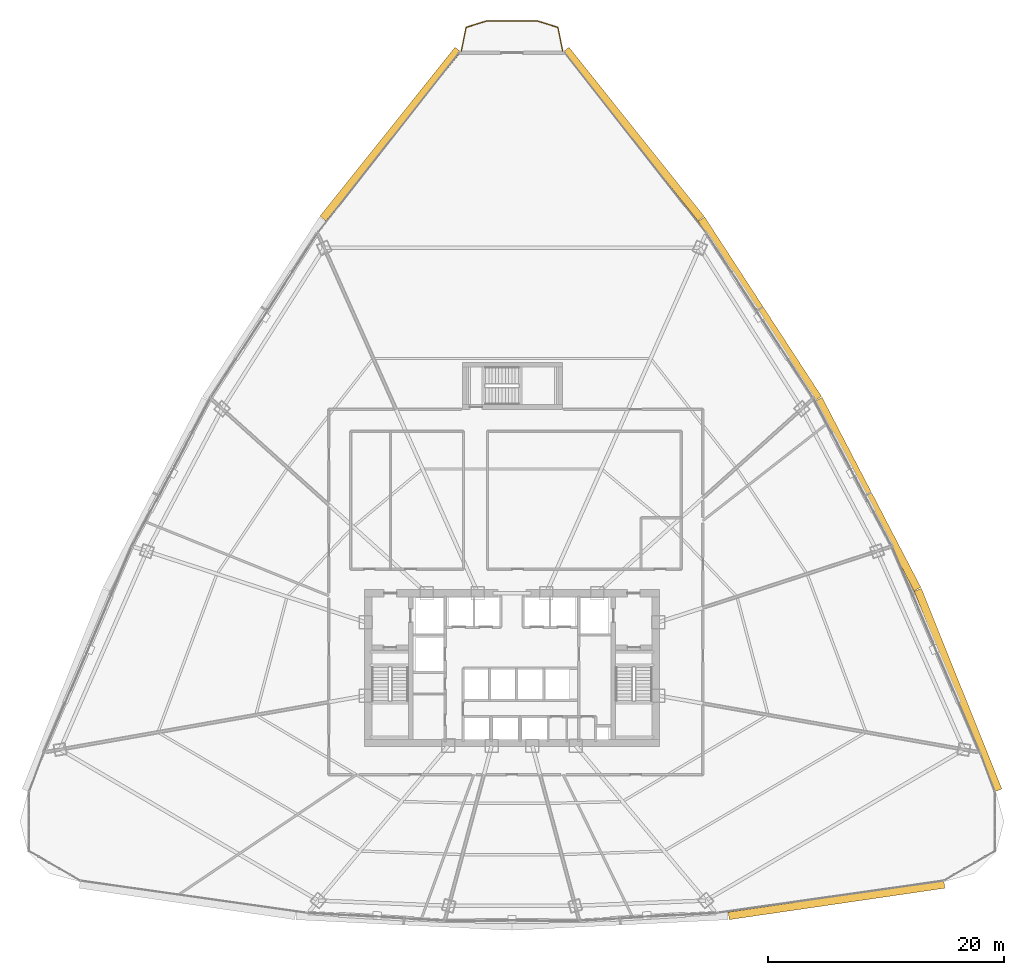
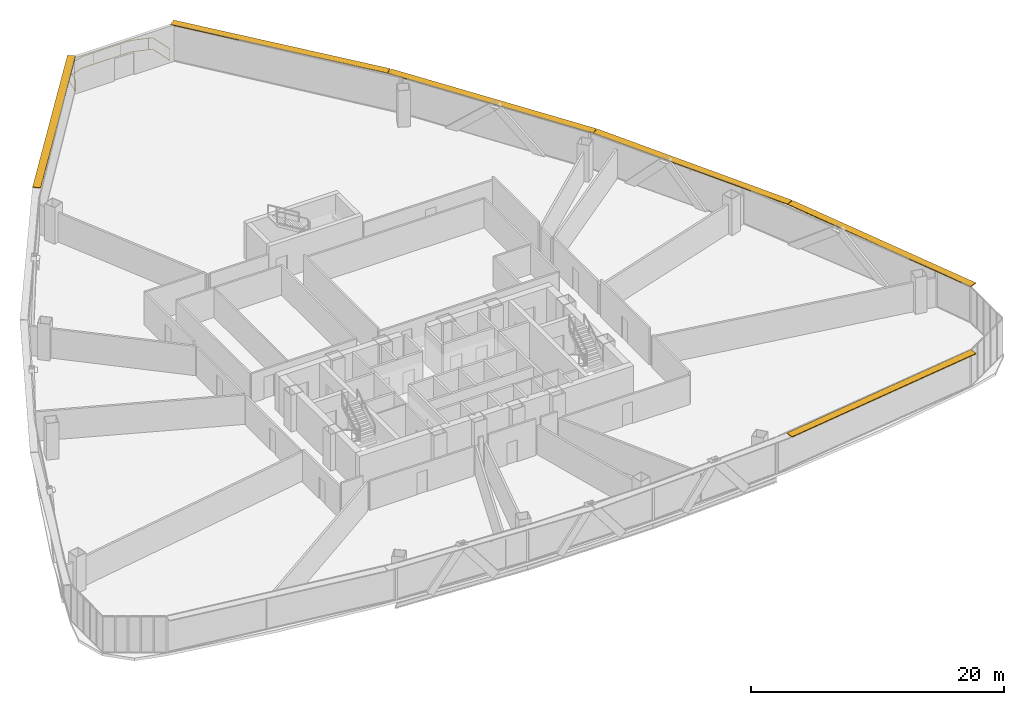
# One storey, part 41 of 41: 6 shading devices, 1 railing.
"""IFC4 building model written with IfcOpenShell, lengths in metres."""

import ifcopenshell
import ifcopenshell.guid

model = None  # the IFC model being written
_history = None  # IfcOwnerHistory: only IFC2X3 demands one
_inside = {}  # id of a spatial element -> (the spatial element, [elements in it])
_under = {}  # id of a project, library or spatial element -> (it, [spatial elements below it])
_declared = {}  # id of a project -> (the project, [libraries it declares])
_typed = {}  # id of a type object -> (the type object, [elements of that type])
_made_of = {}  # id of a material, layer set ... -> (it, [elements and type objects made of it])


def new_model(schema):
    """Start an empty IFC model of exactly this schema.

    Asked for "IFC4X3", IfcOpenShell would pick the latest addendum, in which some entities
    have other attributes; the version numbers below select the first issue.
    IFC2X3 requires an IfcOwnerHistory on every rooted entity: one is made here for all.
    """
    global model, _history
    if schema == "IFC4X3":
        model = ifcopenshell.file(schema_version=(4, 3, 0, 0))
    else:
        model = ifcopenshell.file(schema=schema)
    _inside.clear()
    _under.clear()
    _declared.clear()
    _typed.clear()
    _made_of.clear()
    _history = None
    if model.schema == "IFC2X3":
        org = make("IfcOrganization", Name="unknown")
        user = make(
            "IfcPersonAndOrganization",
            ThePerson=make("IfcPerson", FamilyName="unknown"),
            TheOrganization=org,
        )
        app = make(
            "IfcApplication",
            ApplicationDeveloper=org,
            Version="unknown",
            ApplicationFullName="unknown",
            ApplicationIdentifier="unknown",
        )
        _history = make(
            "IfcOwnerHistory",
            OwningUser=user,
            OwningApplication=app,
            ChangeAction="ADDED",
            CreationDate=0,
        )
    return model


def make(cls, **values):
    """One entity of the class cls with the attributes given. An attribute that is None is left unset."""
    return model.create_entity(
        cls, **{name: value for name, value in values.items() if value is not None}
    )


def rooted(cls, **values):
    """An entity with a GlobalId (a new one), such as an element, a storey or a relation."""
    return make(cls, GlobalId=ifcopenshell.guid.new(), OwnerHistory=_history, **values)


def si_unit(unit_type, name, prefix=None):
    """IfcSIUnit, for example si_unit("LENGTHUNIT", "METRE", prefix="MILLI")."""
    return make("IfcSIUnit", UnitType=unit_type, Prefix=prefix, Name=name)


def assignment(units):
    """IfcUnitAssignment: the units of a project."""
    return None if units is None else make("IfcUnitAssignment", Units=units)


def point(xyz):
    """IfcCartesianPoint."""
    return None if xyz is None else make("IfcCartesianPoint", Coordinates=xyz)


def direction(xyz):
    """IfcDirection."""
    return None if xyz is None else make("IfcDirection", DirectionRatios=xyz)


def frame(location, z_axis=None, x_axis=None):
    """IfcAxis2Placement3D, a coordinate frame: its origin and axes. An axis left out is left unset."""
    return make(
        "IfcAxis2Placement3D",
        Location=point(location),
        Axis=direction(z_axis),
        RefDirection=direction(x_axis),
    )


def frame_2d(location, x_axis=None):
    """IfcAxis2Placement2D, a coordinate frame in the plane: its origin and x axis."""
    return make(
        "IfcAxis2Placement2D", Location=point(location), RefDirection=direction(x_axis)
    )


def origin():
    """The frame at (0, 0, 0) with its axes left unset."""
    return frame((0.0, 0.0, 0.0))


def origin_2d():
    """The frame at (0, 0) in the plane with its x axis left unset."""
    return frame_2d((0.0, 0.0))


def place(relative_to, where):
    """IfcLocalPlacement: puts the frame where relative to a parent placement (None: the world)."""
    return make(
        "IfcLocalPlacement", PlacementRelTo=relative_to, RelativePlacement=where
    )


def context(
    kind, dimensions, precision=None, world=None, true_north=None, identifier=None
):
    """IfcGeometricRepresentationContext, for example the 3D "Model" context."""
    return make(
        "IfcGeometricRepresentationContext",
        ContextIdentifier=identifier,
        ContextType=kind,
        CoordinateSpaceDimension=dimensions,
        Precision=precision,
        WorldCoordinateSystem=world,
        TrueNorth=true_north,
    )


def subcontext(parent, identifier, kind, view, scale=None):
    """IfcGeometricRepresentationSubContext, for example "Body" below "Model"."""
    return make(
        "IfcGeometricRepresentationSubContext",
        ContextIdentifier=identifier,
        ContextType=kind,
        ParentContext=parent,
        TargetScale=scale,
        TargetView=view,
    )


def project(units=None, contexts=None):
    """IfcProject with its units and contexts."""
    return rooted(
        "IfcProject",
        Name="project",
        RepresentationContexts=contexts,
        UnitsInContext=assignment(units),
    )


def spatial(cls, under=None, at=None, **own):
    """A site, building, storey or space (cls), placed at a placement, below another one or the project."""
    s = rooted(cls, ObjectPlacement=at, **own)
    if under is not None:
        _under.setdefault(under.id(), (under, []))[1].append(s)
    return s


def profile(cls, at=None, kind="AREA", **sizes):
    """A parametric profile (cls). Its sizes go by their IFC names, for example OverallWidth=200.0."""
    return make(cls, ProfileType=kind, Position=at, **sizes)


def rectangle(**sizes):
    """IfcRectangleProfileDef."""
    return profile("IfcRectangleProfileDef", **sizes)


def extrude(swept, where, along, depth):
    """IfcExtrudedAreaSolid: the profile swept, set in the frame where, extruded along a direction by depth."""
    return make(
        "IfcExtrudedAreaSolid",
        SweptArea=swept,
        Position=where,
        ExtrudedDirection=direction(along),
        Depth=depth,
    )


def shape(context_of_items, identifier, shape_type, items):
    """IfcShapeRepresentation: the items that make up one representation, for example the "Body"."""
    return make(
        "IfcShapeRepresentation",
        ContextOfItems=context_of_items,
        RepresentationIdentifier=identifier,
        RepresentationType=shape_type,
        Items=items,
    )


def source(mapping_origin, context_of_items, identifier, shape_type, items):
    """IfcRepresentationMap: a shape defined once, which mapped items show again and again."""
    return make(
        "IfcRepresentationMap",
        MappingOrigin=mapping_origin,
        MappedRepresentation=shape(context_of_items, identifier, shape_type, items),
    )


def transform(
    local_origin,
    x_axis=None,
    y_axis=None,
    z_axis=None,
    scale=None,
    scale2=None,
    scale3=None,
    uniform=True,
):
    """IfcCartesianTransformationOperator3D, or its non-uniform kind. x_axis, y_axis, z_axis: its Axis1, 2, 3."""
    if uniform:
        return make(
            "IfcCartesianTransformationOperator3D",
            Axis1=direction(x_axis),
            Axis2=direction(y_axis),
            LocalOrigin=point(local_origin),
            Scale=scale,
            Axis3=direction(z_axis),
        )
    return make(
        "IfcCartesianTransformationOperator3DnonUniform",
        Axis1=direction(x_axis),
        Axis2=direction(y_axis),
        LocalOrigin=point(local_origin),
        Scale=scale,
        Axis3=direction(z_axis),
        Scale2=scale2,
        Scale3=scale3,
    )


def mapped(mapping_source, mapping_target):
    """IfcMappedItem: shows the shape of a source again, moved by a transform."""
    return make(
        "IfcMappedItem", MappingSource=mapping_source, MappingTarget=mapping_target
    )


def material(Name=None, Category=None):
    """IfcMaterial."""
    return make("IfcMaterial", Name=Name, Category=Category)


def layer(
    of_material, thickness, ventilated=None, Name=None, Category=None, Priority=None
):
    """IfcMaterialLayer: one layer of a wall or slab, of a material (None: an air gap)."""
    return make(
        "IfcMaterialLayer",
        Material=of_material,
        LayerThickness=thickness,
        IsVentilated=ventilated,
        Name=Name,
        Category=Category,
        Priority=Priority,
    )


def layer_set(layers, Name=None):
    """IfcMaterialLayerSet."""
    return make("IfcMaterialLayerSet", MaterialLayers=layers, LayerSetName=Name)


def made_of(thing, what):
    """Note that an element or type object is made of a material, layer set ...; save() writes the relation."""
    if what is not None:
        _made_of.setdefault(what.id(), (what, []))[1].append(thing)
    return thing


def type_object(cls, material=None, **own):
    """A type object (cls), such as IfcWallType, which elements share."""
    return made_of(rooted(cls, **own), material)


def element(
    cls,
    number,
    at=None,
    inside=None,
    cuts=None,
    type_object=None,
    material=None,
    context=None,
    identifier="Body",
    shape_type=None,
    held_by="IfcProductDefinitionShape",
    body=None,
    shapes=None,
    **own,
):
    """One element of the class cls, such as IfcWall. Its Tag is "e" and its number.

    at: its placement. inside: the storey or other place that contains it. cuts: it is an
    opening in that element (IfcRelVoidsElement). A single representation is given by context,
    identifier, shape_type and body (its items); several are given by shapes. held_by: the class
    of the entity that holds the representations. save() writes the other relations.
    """
    e = rooted(cls, Tag="e%d" % number, ObjectPlacement=at, **own)
    if body is not None:
        shapes = [shape(context, identifier, shape_type, body)]
    if shapes is not None:
        e.Representation = make(held_by, Representations=shapes)
    if inside is not None:
        _inside.setdefault(inside.id(), (inside, []))[1].append(e)
    if cuts is not None:
        rooted(
            "IfcRelVoidsElement", RelatingBuildingElement=cuts, RelatedOpeningElement=e
        )
    if type_object is not None:
        _typed.setdefault(type_object.id(), (type_object, []))[1].append(e)
    return made_of(e, material)


def aggregate(whole, parts):
    """IfcRelAggregates: a whole, such as a stair, and the parts it consists of."""
    return rooted("IfcRelAggregates", RelatingObject=whole, RelatedObjects=parts)


def save(model, path):
    """Write the relations noted so far, then the file.

    IfcRelAggregates (storeys below a building ...), IfcRelContainedInSpatialStructure (elements
    in a storey), IfcRelDefinesByType, IfcRelAssociatesMaterial and IfcRelDeclares: one each for
    every whole, place, type object, material and project.
    """
    for whole, parts in _under.values():
        aggregate(whole, parts)
    for where, things in _inside.values():
        rooted(
            "IfcRelContainedInSpatialStructure",
            RelatedElements=things,
            RelatingStructure=where,
        )
    for kind, things in _typed.values():
        rooted("IfcRelDefinesByType", RelatedObjects=things, RelatingType=kind)
    for what, things in _made_of.values():
        rooted("IfcRelAssociatesMaterial", RelatedObjects=things, RelatingMaterial=what)
    for by, libraries in _declared.values():
        rooted("IfcRelDeclares", RelatingContext=by, RelatedDefinitions=libraries)
    model.write(path)


model = new_model("IFC4")

# Units and contexts
model_context = context("Model", 3, precision=1e-05, world=origin(), true_north=direction((0.0, 1.0)))
body_context = subcontext(model_context, "Body", "Model", "MODEL_VIEW")
ifc_project = project(units=[si_unit("LENGTHUNIT", "METRE"), si_unit("AREAUNIT", "SQUARE_METRE"), si_unit("VOLUMEUNIT", "CUBIC_METRE"), si_unit("PLANEANGLEUNIT", "RADIAN"), si_unit("MASSUNIT", "GRAM", prefix="KILO"), si_unit("THERMODYNAMICTEMPERATUREUNIT", "KELVIN"), si_unit("POWERUNIT", "WATT")], contexts=[model_context])

# Site, building, storey
site_placement = place(None, origin())
site = spatial("IfcSite", under=ifc_project, at=site_placement, CompositionType="ELEMENT")
building_placement = place(site_placement, origin())
building = spatial("IfcBuilding", under=site, at=building_placement, Name="Yunzhuo Pagoda Commons", CompositionType="ELEMENT")
storey_placement = place(building_placement, frame((0.0, 0.0, 115.3798828125)))
storey = spatial("IfcBuildingStorey", under=building, at=storey_placement, Name="L29", CompositionType="ELEMENT", Elevation=115.3798828125)

# Railing
ifc_material = material(Name="Anodized aluminium 6063-T6", Category="aluminium")
railing_type = type_object("IfcRailingType", Name="RL-BAL1 Exterior Terrace & Balcony Balustrade 1150", PredefinedType="BALUSTRADE", material=ifc_material)
railing_placement = place(storey_placement, frame((52.3017578125, 86.203857421875, 0.0)))
element("IfcRailing", 1, at=railing_placement, inside=storey, type_object=railing_type, Name="L29 corner balcony balustrade V3", PredefinedType="BALUSTRADE", context=body_context, shape_type="SweptSolid", body=[
    extrude(rectangle(XDim=0.048095703125, YDim=0.048095703125, at=origin_2d()), frame((0.0, 0.0, 1.1259765625), z_axis=(-0.194200568098, 0.980961843983, 0.0), x_axis=(-0.980961843983, -0.194200568098, 0.0)), (0.0, 0.0, 1.0), 2.059326171875),
    extrude(rectangle(XDim=0.048095703125, YDim=0.048095703125, at=origin_2d()), frame((0.0, 0.0, 0.02392578125), z_axis=(-0.194200568098, 0.980961843983, 0.0), x_axis=(-0.980961843983, -0.194200568098, 0.0)), (0.0, 0.0, 1.0), 2.059326171875),
    extrude(rectangle(XDim=0.048095703125, YDim=0.048095703125, at=origin_2d()), frame((-0.39990234375, 2.02001953125, 1.1259765625), z_axis=(-0.95521436164, 0.295914723048, 0.0), x_axis=(-0.295914723048, -0.95521436164, 0.0)), (0.0, 0.0, 1.0), 1.791259765625),
    extrude(rectangle(XDim=0.048095703125, YDim=0.048095703125, at=origin_2d()), frame((-0.39990234375, 2.02001953125, 0.02392578125), z_axis=(-0.95521436164, 0.295914723048, 0.0), x_axis=(-0.295914723048, -0.95521436164, 0.0)), (0.0, 0.0, 1.0), 1.791259765625),
    extrude(rectangle(XDim=0.048095703125, YDim=0.048095703125, at=origin_2d()), frame((-2.11083984375, 2.550048828125, 1.1259765625), z_axis=(-1.0, 0.0, 0.0), x_axis=(0.0, -1.0, 0.0)), (0.0, 0.0, 1.0), 4.3818359375),
    extrude(rectangle(XDim=0.048095703125, YDim=0.048095703125, at=origin_2d()), frame((-2.11083984375, 2.550048828125, 0.02392578125), z_axis=(-1.0, 0.0, 0.0), x_axis=(0.0, -1.0, 0.0)), (0.0, 0.0, 1.0), 4.3818359375),
    extrude(rectangle(XDim=0.048095703125, YDim=0.048095703125, at=origin_2d()), frame((-6.49267578125, 2.550048828125, 1.1259765625), z_axis=(-0.95521436164, -0.295914723048, 0.0), x_axis=(0.295914723048, -0.95521436164, 0.0)), (0.0, 0.0, 1.0), 1.791259765625),
    extrude(rectangle(XDim=0.048095703125, YDim=0.048095703125, at=origin_2d()), frame((-6.49267578125, 2.550048828125, 0.02392578125), z_axis=(-0.95521436164, -0.295914723048, 0.0), x_axis=(0.295914723048, -0.95521436164, 0.0)), (0.0, 0.0, 1.0), 1.791259765625),
    extrude(rectangle(XDim=0.048095703125, YDim=0.048095703125, at=origin_2d()), frame((-8.20361328125, 2.02001953125, 1.1259765625), z_axis=(-0.194200568098, -0.980961843983, 0.0), x_axis=(0.980961843983, -0.194200568098, 0.0)), (0.0, 0.0, 1.0), 2.059326171875),
    extrude(rectangle(XDim=0.048095703125, YDim=0.048095703125, at=origin_2d()), frame((-8.20361328125, 2.02001953125, 0.02392578125), z_axis=(-0.194200568098, -0.980961843983, 0.0), x_axis=(0.980961843983, -0.194200568098, 0.0)), (0.0, 0.0, 1.0), 2.059326171875),
    extrude(rectangle(XDim=0.0419921875, YDim=0.0419921875, at=origin_2d()), origin(), (0.0, 0.0, 1.0), 1.101806640625),
    extrude(rectangle(XDim=0.0419921875, YDim=0.0419921875, at=origin_2d()), frame((-0.725341796875, 2.120849609375, 0.0)), (0.0, 0.0, 1.0), 1.101806640625),
    extrude(rectangle(XDim=0.0419921875, YDim=0.0419921875, at=origin_2d()), frame((-3.060546875, 2.550048828125, 0.0)), (0.0, 0.0, 1.0), 1.101806640625),
    extrude(rectangle(XDim=0.0419921875, YDim=0.0419921875, at=origin_2d()), frame((-5.46044921875, 2.550048828125, 0.0)), (0.0, 0.0, 1.0), 1.101806640625),
    extrude(rectangle(XDim=0.0419921875, YDim=0.0419921875, at=origin_2d()), frame((-7.79931640625, 2.145263671875, 0.0)), (0.0, 0.0, 1.0), 1.101806640625),
    extrude(rectangle(XDim=0.0419921875, YDim=0.0419921875, at=origin_2d()), frame((-8.603515625, 0.0, 0.0)), (0.0, 0.0, 1.0), 1.101806640625),
])

# Shading devices
ifc_layer = layer(ifc_material, 0.080078125)
ifc_layer_set = layer_set([ifc_layer], Name="Anodized aluminium 6063-T6")
shading_device_type = type_object("IfcShadingDeviceType", Name="SH-SUN1 Pagoda Horizontal Sunshade Eave 650", PredefinedType="USERDEFINED", material=ifc_layer_set)
shared_shape_1 = source(origin(), body_context, "Body", "SweptSolid", [
    extrude(rectangle(XDim=18.497314453125, YDim=0.64990234375, at=origin_2d()), origin(), (0.0, 0.0, 1.0), 0.080078125),
])
shading_device_placement = place(storey_placement, frame((75.54931640625, 14.14892578125, 3.440185546875), z_axis=(0.0, 0.0, 1.0), x_axis=(0.989510666697, 0.144459823108, 0.0)))
element("IfcShadingDevice", 2, at=shading_device_placement, inside=storey, type_object=shading_device_type, Name="L29 horizontal pagoda sunshade eave F1.4", ObjectType="SUNSHADE", PredefinedType="USERDEFINED", context=body_context, shape_type="MappedRepresentation", body=[
    mapped(shared_shape_1, transform((0.0, 0.0, 0.0), scale=1.0)),
])
shared_shape_2 = source(origin(), body_context, "Body", "SweptSolid", [
    extrude(rectangle(XDim=18.3486328125, YDim=0.64990234375, at=origin_2d()), origin(), (0.0, 0.0, 1.0), 0.080078125),
])
for number, where, z_axis, x_axis, name in (
    (3, (85.861083984375, 31.977294921875, 3.440185546875), (0.0, 0.0, 1.0), (-0.372987782576, 0.927836253899, 0.0), "L29 horizontal pagoda sunshade eave F2.1"),
    (4, (58.311279296875, 79.1728515625, 3.440185546875), (0.0, 0.0, 1.0), (-0.624520471688, 0.781008438138, 0.0), "L29 horizontal pagoda sunshade eave F2.4"),
    (5, (37.688720703125, 79.1728515625, 3.440185546875), (0.0, 0.0, 1.0), (-0.624520471688, -0.781008438138, 0.0), "L29 horizontal pagoda sunshade eave F3.1"),
):
    element("IfcShadingDevice", number, at=place(storey_placement, frame(where, z_axis=z_axis, x_axis=x_axis)), inside=storey, type_object=shading_device_type, Name=name, ObjectType="SUNSHADE", PredefinedType="USERDEFINED", context=body_context, shape_type="MappedRepresentation", body=[
        mapped(shared_shape_2, transform((0.0, 0.0, 0.0), scale=1.0)),
    ])
shared_shape_3 = source(origin(), body_context, "Body", "SweptSolid", [
    extrude(rectangle(XDim=18.1748046875, YDim=0.64990234375, at=origin_2d()), origin(), (0.0, 0.0, 1.0), 0.080078125),
])
for number, where, z_axis, x_axis, name in (
    (6, (78.2216796875, 48.610107421875, 3.440185546875), (0.0, 0.0, 1.0), (-0.461206683033, 0.88729273384, 0.0), "L29 horizontal pagoda sunshade eave F2.2"),
    (7, (69.0380859375, 64.34228515625, 3.440185546875), (0.0, 0.0, 1.0), (-0.545838756973, 0.837890238269, 0.0), "L29 horizontal pagoda sunshade eave F2.3"),
):
    element("IfcShadingDevice", number, at=place(storey_placement, frame(where, z_axis=z_axis, x_axis=x_axis)), inside=storey, type_object=shading_device_type, Name=name, ObjectType="SUNSHADE", PredefinedType="USERDEFINED", context=body_context, shape_type="MappedRepresentation", body=[
        mapped(shared_shape_3, transform((0.0, 0.0, 0.0), scale=1.0)),
    ])

save(model, "model.ifc")
